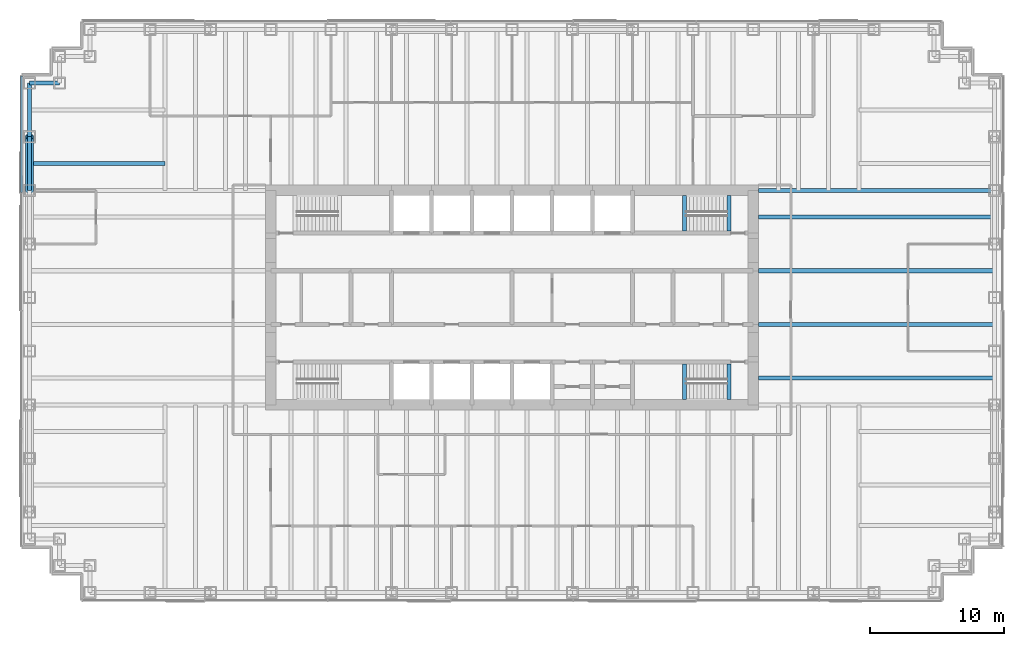
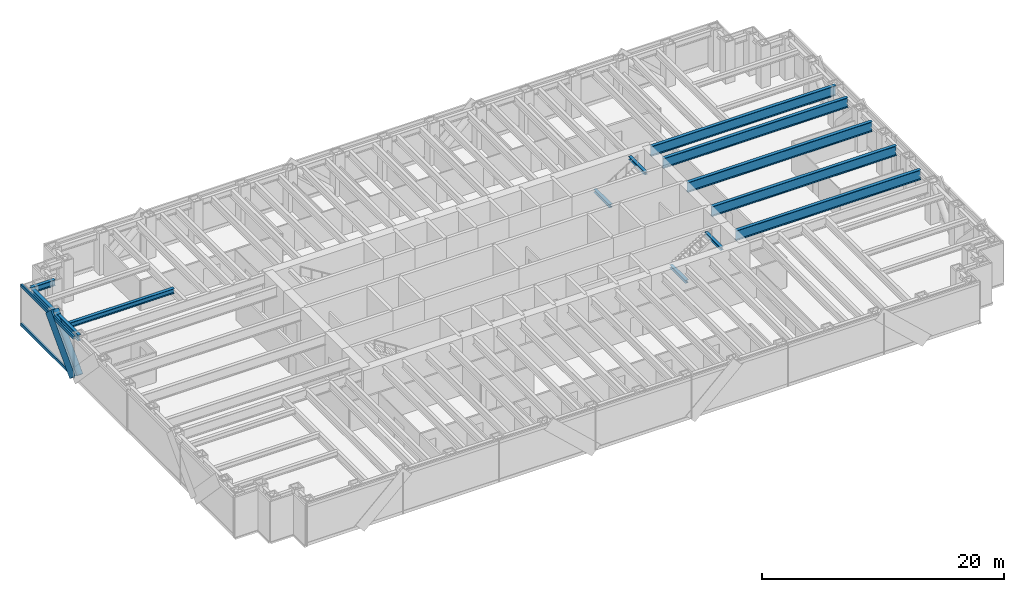
# One storey, part 5 of 17: 13 beams, 4 members, 1 element without a shape of its own.
"""IFC4 building model written with IfcOpenShell, lengths in metres."""

from ifc_helpers import new_model, si_unit, direction, frame, origin, origin_2d, place, context, subcontext, project, spatial, rectangle, hollow_circle, i_section, extrude, material, material_profile, profile_set, type_object, element, aggregate, save


model = new_model("IFC4")

# Units and contexts
model_context = context("Model", 3, precision=1e-05, world=origin(), true_north=direction((0.0, 1.0)))
body_context = subcontext(model_context, "Body", "Model", "MODEL_VIEW")
ifc_project = project(units=[si_unit("LENGTHUNIT", "METRE"), si_unit("AREAUNIT", "SQUARE_METRE"), si_unit("VOLUMEUNIT", "CUBIC_METRE"), si_unit("PLANEANGLEUNIT", "RADIAN"), si_unit("MASSUNIT", "GRAM", prefix="KILO")], contexts=[model_context])

# Site, building, storey
site_placement = place(None, origin())
site = spatial("IfcSite", under=ifc_project, at=site_placement, CompositionType="ELEMENT")
building_placement = place(site_placement, origin())
building = spatial("IfcBuilding", under=site, at=building_placement, Name="Rheinbord Bourse Tower", CompositionType="ELEMENT")
storey_placement = place(building_placement, frame((0.0, 0.0, 190.0)))
storey = spatial("IfcBuildingStorey", under=building, at=storey_placement, Name="L42", CompositionType="ELEMENT", Elevation=190.0)

# Curtain wall, members
ifc_material_1 = material(Name="Dark glass and black aluminium", Category="aluminium")
curtain_wall_type = type_object("IfcCurtainWallType", Name="CW2 DARK GLASS CURTAIN WALL", PredefinedType="USERDEFINED", material=ifc_material_1)
curtain_wall_placement = place(storey_placement, origin())
curtain_wall = element("IfcCurtainWall", 1, at=curtain_wall_placement, inside=storey, type_object=curtain_wall_type, Name="Curtain wall CW2 W L42", ObjectType="UNITISED CURTAIN WALL", PredefinedType="USERDEFINED")
ifc_material_2 = material(Name="Black anodised aluminium", Category="aluminium")
ifc_material_profile_1 = material_profile(ifc_material_2, rectangle(XDim=0.159912109375, YDim=1.2099609375, at=origin_2d()), Name="CW2 DIAGONAL MULLION 1210x160")
ifc_profile_set_1 = profile_set([ifc_material_profile_1], Name="Black anodised aluminium")
member_type_1 = type_object("IfcMemberType", Name="CW2 BLACK DIAGONAL MULLION", PredefinedType="USERDEFINED", material=ifc_profile_set_1)
member_1_placement = place(storey_placement, frame((-0.60009765625, 32.0, 0.0), z_axis=(0.0, 0.689659376744, 0.724133926887), x_axis=(-1.0, 0.0, 0.0)))
member_1 = element("IfcMember", 2, at=member_1_placement, type_object=member_type_1, Name="CW2 diagonal mullion a", ObjectType="DIAGONAL MULLION", PredefinedType="USERDEFINED", context=body_context, shape_type="SweptSolid", body=[
    extrude(rectangle(XDim=0.159912109375, YDim=1.2099609375, at=origin_2d()), origin(), (0.0, 0.0, 1.0), 5.800048828125),
])
ifc_material_3 = material(Name="Black anodised aluminium", Category="aluminium")
ifc_material_profile_2 = material_profile(ifc_material_3, rectangle(XDim=0.159912109375, YDim=0.300048828125, at=origin_2d()), Name="CW2 TRANSOM 300x160")
ifc_profile_set_2 = profile_set([ifc_material_profile_2], Name="Black anodised aluminium")
member_type_2 = type_object("IfcMemberType", Name="CW2 BLACK TRANSOM", PredefinedType="USERDEFINED", material=ifc_profile_set_2)
member_2_placement = place(storey_placement, frame((-0.60009765625, 40.530029296875, 0.14990234375), z_axis=(0.0, -1.0, 0.0), x_axis=(1.0, 0.0, 0.0)))
member_2 = element("IfcMember", 3, at=member_2_placement, type_object=member_type_2, Name="CW2 transom 1.1", ObjectType="TRANSOM", PredefinedType="USERDEFINED", context=body_context, shape_type="SweptSolid", body=[
    extrude(rectangle(XDim=0.159912109375, YDim=0.300048828125, at=origin_2d()), origin(), (0.0, 0.0, 1.0), 8.695068359375),
])
member_3_placement = place(storey_placement, frame((-0.60009765625, 40.530029296875, 4.050048828125), z_axis=(0.0, -1.0, 0.0), x_axis=(1.0, 0.0, 0.0)))
member_3 = element("IfcMember", 4, at=member_3_placement, type_object=member_type_2, Name="CW2 transom 1.2", ObjectType="TRANSOM", PredefinedType="USERDEFINED", context=body_context, shape_type="SweptSolid", body=[
    extrude(rectangle(XDim=0.159912109375, YDim=0.300048828125, at=origin_2d()), origin(), (0.0, 0.0, 1.0), 8.695068359375),
])
aggregate(curtain_wall, [member_2, member_3, member_1])

# Beams
ifc_material_4 = material(Name="Steel S460", Category="steel")
ifc_material_profile_3 = material_profile(ifc_material_4, i_section(OverallWidth=0.302001953125, OverallDepth=1.008056640625, WebThickness=0.02099609375, FlangeThickness=0.0400390625, at=origin_2d()), Name="HEM 1000")
ifc_profile_set_3 = profile_set([ifc_material_profile_3], Name="Steel S460")
beam_type_1 = type_object("IfcBeamType", Name="END BEAM HEM 1000", PredefinedType="BEAM", material=ifc_profile_set_3)
for number, where, z_axis, x_axis, name in (
    (5, (54.39990234375, 18.0, 3.535888671875), (1.0, 0.0, 0.0), (0.0, 1.0, 0.0), "End beam east 18 L43"),
    (6, (54.39990234375, 22.0, 3.535888671875), (1.0, 0.0, 0.0), (0.0, 1.0, 0.0), "End beam east 22 L43"),
    (7, (54.39990234375, 26.0, 3.535888671875), (1.0, 0.0, 0.0), (0.0, 1.0, 0.0), "End beam east 26 L43"),
    (8, (54.39990234375, 30.0, 3.535888671875), (1.0, 0.0, 0.0), (0.0, 1.0, 0.0), "End beam east 30 L43"),
):
    element("IfcBeam", number, at=place(storey_placement, frame(where, z_axis=z_axis, x_axis=x_axis)), inside=storey, type_object=beam_type_1, Name=name, PredefinedType="BEAM", context=body_context, shape_type="SweptSolid", body=[
        extrude(i_section(OverallWidth=0.302001953125, OverallDepth=1.008056640625, WebThickness=0.02099609375, FlangeThickness=0.0400390625, at=origin_2d()), origin(), (0.0, 0.0, 1.0), 17.60009765625),
    ])
ifc_material_5 = material(Name="Steel S460", Category="steel")
ifc_material_profile_4 = material_profile(ifc_material_5, i_section(OverallWidth=0.302001953125, OverallDepth=1.008056640625, WebThickness=0.02099609375, FlangeThickness=0.0400390625, at=origin_2d()), Name="HEM 1000")
ifc_profile_set_4 = profile_set([ifc_material_profile_4], Name="Steel S460")
beam_type_2 = type_object("IfcBeamType", Name="GIRDER HEM 1000", PredefinedType="BEAM", material=ifc_profile_set_4)
beam_1_placement = place(storey_placement, frame((54.39990234375, 32.0, 3.535888671875), z_axis=(1.0, 0.0, 0.0), x_axis=(0.0, 1.0, 0.0)))
element("IfcBeam", 9, at=beam_1_placement, inside=storey, type_object=beam_type_2, Name="Girder east 32 L43", PredefinedType="BEAM", context=body_context, shape_type="SweptSolid", body=[
    extrude(i_section(OverallWidth=0.302001953125, OverallDepth=1.008056640625, WebThickness=0.02099609375, FlangeThickness=0.0400390625, at=origin_2d()), origin(), (0.0, 0.0, 1.0), 17.60009765625),
])
ifc_material_6 = material(Name="Steel S460", Category="steel")
ifc_material_profile_5 = material_profile(ifc_material_6, i_section(OverallWidth=0.300048828125, OverallDepth=0.300048828125, WebThickness=0.010986328125, FlangeThickness=0.01904296875, at=origin_2d()), Name="HEB 300")
ifc_profile_set_5 = profile_set([ifc_material_profile_5], Name="Steel S460")
beam_type_3 = type_object("IfcBeamType", Name="LANDING TRIMMER HEB 300", PredefinedType="BEAM", material=ifc_profile_set_5)
for number, where, z_axis, x_axis, name in (
    (10, (48.8701171875, 16.39990234375, 1.75), (0.0, 1.0, 0.0), (-1.0, 0.0, 0.0), "Landing trimmer ST3 L42"),
    (11, (52.199951171875, 16.39990234375, 3.889892578125), (0.0, 1.0, 0.0), (-1.0, 0.0, 0.0), "Well trimmer ST3 under L43"),
    (12, (48.8701171875, 28.949951171875, 1.75), (0.0, 1.0, 0.0), (-1.0, 0.0, 0.0), "Landing trimmer ST4 L42"),
    (13, (52.199951171875, 28.949951171875, 3.889892578125), (0.0, 1.0, 0.0), (-1.0, 0.0, 0.0), "Well trimmer ST4 under L43"),
):
    element("IfcBeam", number, at=place(storey_placement, frame(where, z_axis=z_axis, x_axis=x_axis)), inside=storey, type_object=beam_type_3, Name=name, PredefinedType="BEAM", context=body_context, shape_type="SweptSolid", body=[
        extrude(i_section(OverallWidth=0.300048828125, OverallDepth=0.300048828125, WebThickness=0.010986328125, FlangeThickness=0.01904296875, at=origin_2d()), origin(), (0.0, 0.0, 1.0), 2.650146484375),
    ])

# Member
ifc_material_7 = material(Name="Steel S460", Category="steel")
ifc_material_profile_6 = material_profile(ifc_material_7, hollow_circle(Radius=0.304931640625, WallThickness=0.0400390625, at=origin_2d()), Name="CHS 610x40")
ifc_profile_set_6 = profile_set([ifc_material_profile_6], Name="Steel S460")
member_type_3 = type_object("IfcMemberType", Name="MEGABRACE CHS 610x40", PredefinedType="BRACE", material=ifc_profile_set_6)
member_4_placement = place(storey_placement, frame((0.0, 32.0, 0.0), z_axis=(0.0, 0.689659376744, 0.724133926887), x_axis=(-1.0, 0.0, 0.0)))
element("IfcMember", 14, at=member_4_placement, inside=storey, type_object=member_type_3, Name="Megabrace W face line a L42", PredefinedType="BRACE", context=body_context, shape_type="SweptSolid", body=[
    extrude(hollow_circle(Radius=0.304931640625, WallThickness=0.0400390625, at=origin_2d()), origin(), (0.0, 0.0, 1.0), 5.800048828125),
])

# Beams
ifc_material_8 = material(Name="Steel S460", Category="steel")
ifc_material_profile_7 = material_profile(ifc_material_8, i_section(OverallWidth=0.300048828125, OverallDepth=0.60009765625, WebThickness=0.015380859375, FlangeThickness=0.030029296875, at=origin_2d()), Name="HEB 600")
ifc_profile_set_7 = profile_set([ifc_material_profile_7], Name="Steel S460")
beam_type_4 = type_object("IfcBeamType", Name="SPANDREL HEB 600", PredefinedType="SPANDREL", material=ifc_profile_set_7)
beam_2_placement = place(storey_placement, frame((2.25, 40.0, 3.739990234375), z_axis=(-1.0, 0.0, 0.0), x_axis=(0.0, -1.0, 0.0)))
element("IfcBeam", 15, at=beam_2_placement, inside=storey, type_object=beam_type_4, Name="Spandrel NW-B-NW-A under L43", PredefinedType="SPANDREL", context=body_context, shape_type="SweptSolid", body=[
    extrude(i_section(OverallWidth=0.300048828125, OverallDepth=0.60009765625, WebThickness=0.015380859375, FlangeThickness=0.030029296875, at=origin_2d()), origin(), (0.0, 0.0, 1.0), 2.25),
])
for number, where, z_axis, x_axis, name in (
    (16, (0.0, 40.0, 3.739990234375), (0.0, -1.0, 0.0), (1.0, 0.0, 0.0), "Spandrel NW-A-W-36 under L43"),
    (17, (0.0, 36.0, 3.739990234375), (0.0, -1.0, 0.0), (1.0, 0.0, 0.0), "Spandrel W-36-W-32 under L43"),
):
    element("IfcBeam", number, at=place(storey_placement, frame(where, z_axis=z_axis, x_axis=x_axis)), inside=storey, type_object=beam_type_4, Name=name, PredefinedType="SPANDREL", context=body_context, shape_type="SweptSolid", body=[
        extrude(i_section(OverallWidth=0.300048828125, OverallDepth=0.60009765625, WebThickness=0.015380859375, FlangeThickness=0.030029296875, at=origin_2d()), origin(), (0.0, 0.0, 1.0), 4.0),
    ])
ifc_material_9 = material(Name="Steel S460", Category="steel")
ifc_material_profile_8 = material_profile(ifc_material_9, i_section(OverallWidth=0.300048828125, OverallDepth=0.5, WebThickness=0.014404296875, FlangeThickness=0.028076171875, at=origin_2d()), Name="HEB 500")
ifc_profile_set_8 = profile_set([ifc_material_profile_8], Name="Steel S460")
beam_type_5 = type_object("IfcBeamType", Name="TIE BEAM HEB 500", PredefinedType="JOIST", material=ifc_profile_set_8)
beam_3_placement = place(storey_placement, frame((0.0, 34.0, 3.7900390625), z_axis=(1.0, 0.0, 0.0), x_axis=(0.0, 1.0, 0.0)))
element("IfcBeam", 18, at=beam_3_placement, inside=storey, type_object=beam_type_5, Name="Tie west 34 L43", PredefinedType="JOIST", context=body_context, shape_type="SweptSolid", body=[
    extrude(i_section(OverallWidth=0.300048828125, OverallDepth=0.5, WebThickness=0.014404296875, FlangeThickness=0.028076171875, at=origin_2d()), origin(), (0.0, 0.0, 1.0), 10.125),
])

save(model, "model.ifc")
